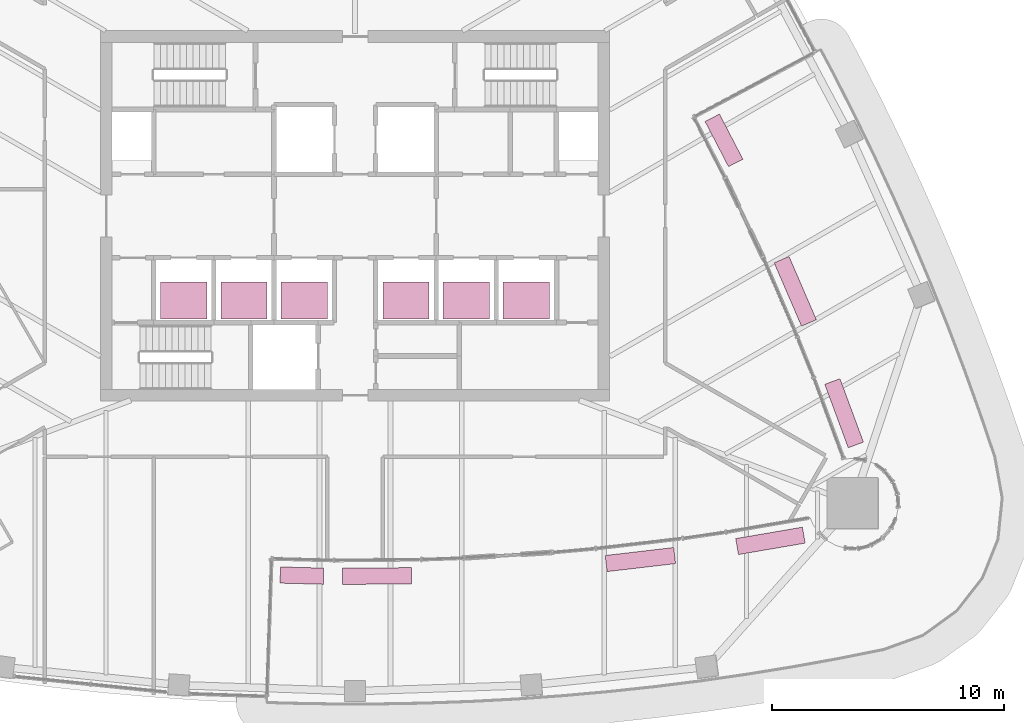
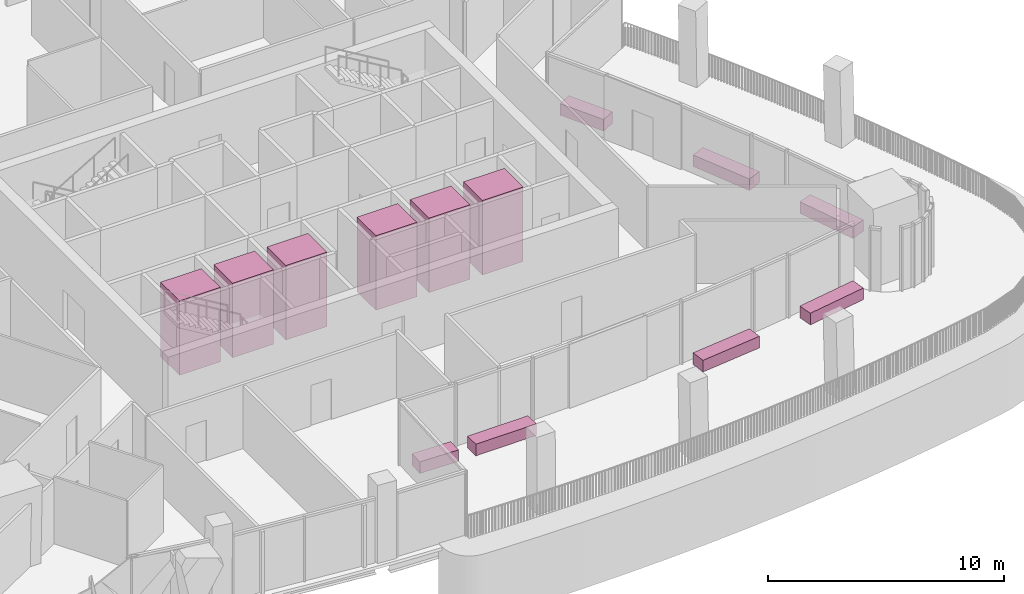
# One storey, part 21 of 21: 7 furniture elements, 6 transport elements.
"""IFC4 building model written with IfcOpenShell, lengths in metres."""

from ifc_helpers import new_model, si_unit, direction, frame, origin, origin_2d, place, context, subcontext, project, spatial, rectangle, extrude, material, type_object, element, save


model = new_model("IFC4")

# Units and contexts
model_context = context("Model", 3, precision=1e-05, world=origin(), true_north=direction((0.0, 1.0)))
body_context = subcontext(model_context, "Body", "Model", "MODEL_VIEW")
ifc_project = project(units=[si_unit("LENGTHUNIT", "METRE"), si_unit("AREAUNIT", "SQUARE_METRE"), si_unit("VOLUMEUNIT", "CUBIC_METRE"), si_unit("PLANEANGLEUNIT", "RADIAN"), si_unit("MASSUNIT", "GRAM", prefix="KILO")], contexts=[model_context])

# Site, building, storey
site_placement = place(None, origin())
site = spatial("IfcSite", under=ifc_project, at=site_placement, CompositionType="ELEMENT")
building_placement = place(site_placement, origin())
building = spatial("IfcBuilding", under=site, at=building_placement, Name="Sierra Prisma Convention Tower", CompositionType="ELEMENT")
storey_placement = place(building_placement, frame((0.0, 0.0, 259.0)))
storey = spatial("IfcBuildingStorey", under=building, at=storey_placement, Name="L58", CompositionType="ELEMENT", Elevation=259.0)

# Transport elements
ifc_material_1 = material(Name="Stainless steel", Category="steel")
transport_element_type = type_object("IfcTransportElementType", Name="Lift car office high 2000x1600 1600 kg", PredefinedType="ELEVATOR", material=ifc_material_1)
for number, where, z_axis, x_axis, name in (
    (1, (-7.39990234375, -3.64990234375, 0.0), (0.0, 0.0, 1.0), (1.0, 0.0, 0.0), "Lift OH1"),
    (2, (-4.800048828125, -3.64990234375, 0.0), (0.0, 0.0, 1.0), (1.0, 0.0, 0.0), "Lift OH2"),
    (3, (-2.199951171875, -3.64990234375, 0.0), (0.0, 0.0, 1.0), (1.0, 0.0, 0.0), "Lift OH3"),
    (4, (2.199951171875, -3.64990234375, 0.0), (0.0, 0.0, 1.0), (1.0, 0.0, 0.0), "Lift OH4"),
    (5, (4.800048828125, -3.64990234375, 0.0), (0.0, 0.0, 1.0), (1.0, 0.0, 0.0), "Lift OH5"),
    (6, (7.39990234375, -3.64990234375, 0.0), (0.0, 0.0, 1.0), (1.0, 0.0, 0.0), "Lift OH6"),
):
    element("IfcTransportElement", number, at=place(storey_placement, frame(where, z_axis=z_axis, x_axis=x_axis)), inside=storey, type_object=transport_element_type, Name=name, PredefinedType="ELEVATOR", context=body_context, shape_type="SweptSolid", body=[
        extrude(rectangle(XDim=2.0, YDim=1.60009765625, at=origin_2d()), origin(), (0.0, 0.0, 1.0), 3.85009765625),
    ])

# Furniture
ifc_material_2 = material(Name="Precast concrete C40/50", Category="concrete")
furniture_type = type_object("IfcFurnitureType", Name="Terrace planter", AssemblyPlace="NOTDEFINED", PredefinedType="USERDEFINED", material=ifc_material_2)
furniture_1_placement = place(storey_placement, frame((-2.29638671875, -15.532470703125, 0.0400390625), z_axis=(0.0, 0.0, 1.0), x_axis=(0.99964106481, -0.026790698865, 0.0)))
element("IfcFurniture", 7, at=furniture_1_placement, inside=storey, type_object=furniture_type, Name="Planter L58.1", ObjectType="PLANTER", PredefinedType="USERDEFINED", context=body_context, shape_type="SweptSolid", body=[
    extrude(rectangle(XDim=1.868408203125, YDim=0.699951171875, at=origin_2d()), origin(), (0.0, 0.0, 1.0), 0.60009765625),
])
for number, where, z_axis, x_axis, name in (
    (8, (0.9501953125, -15.551513671875, 0.0400390625), (0.0, 0.0, 1.0), (0.999960116191, 0.008931182823, 0.0), "Planter L58.2"),
    (9, (12.32373046875, -14.839599609375, 0.0400390625), (0.0, 0.0, 1.0), (0.993267160301, 0.11584622682, 0.0), "Planter L58.6"),
):
    element("IfcFurniture", number, at=place(storey_placement, frame(where, z_axis=z_axis, x_axis=x_axis)), inside=storey, type_object=furniture_type, Name=name, ObjectType="PLANTER", PredefinedType="USERDEFINED", context=body_context, shape_type="SweptSolid", body=[
        extrude(rectangle(XDim=2.975830078125, YDim=0.699951171875, at=origin_2d()), origin(), (0.0, 0.0, 1.0), 0.60009765625),
    ])
furniture_2_placement = place(storey_placement, frame((17.93896484375, -14.032470703125, 0.0400390625), z_axis=(0.0, 0.0, 1.0), x_axis=(0.98565823358, 0.168753804629, 0.0)))
element("IfcFurniture", 10, at=furniture_2_placement, inside=storey, type_object=furniture_type, Name="Planter L58.8", ObjectType="PLANTER", PredefinedType="USERDEFINED", context=body_context, shape_type="SweptSolid", body=[
    extrude(rectangle(XDim=2.921875, YDim=0.699951171875, at=origin_2d()), origin(), (0.0, 0.0, 1.0), 0.60009765625),
])
furniture_3_placement = place(storey_placement, frame((21.121826171875, -8.51904296875, 0.0400390625), z_axis=(0.0, 0.0, 1.0), x_axis=(-0.346685766215, 0.937981332172, 0.0)))
element("IfcFurniture", 11, at=furniture_3_placement, inside=storey, type_object=furniture_type, Name="Planter L58.27", ObjectType="PLANTER", PredefinedType="USERDEFINED", context=body_context, shape_type="SweptSolid", body=[
    extrude(rectangle(XDim=2.921142578125, YDim=0.699951171875, at=origin_2d()), origin(), (0.0, 0.0, 1.0), 0.60009765625),
])
furniture_4_placement = place(storey_placement, frame((19.01318359375, -3.2529296875, 0.0400390625), z_axis=(0.0, 0.0, 1.0), x_axis=(-0.396307804792, 0.918117706975, 0.0)))
element("IfcFurniture", 12, at=furniture_4_placement, inside=storey, type_object=furniture_type, Name="Planter L58.29", ObjectType="PLANTER", PredefinedType="USERDEFINED", context=body_context, shape_type="SweptSolid", body=[
    extrude(rectangle(XDim=2.975830078125, YDim=0.699951171875, at=origin_2d()), origin(), (0.0, 0.0, 1.0), 0.60009765625),
])
furniture_5_placement = place(storey_placement, frame((15.93408203125, 3.265625, 0.0400390625), z_axis=(0.0, 0.0, 1.0), x_axis=(-0.46084071427, 0.887482865227, 0.0)))
element("IfcFurniture", 13, at=furniture_5_placement, inside=storey, type_object=furniture_type, Name="Planter L58.31", ObjectType="PLANTER", PredefinedType="USERDEFINED", context=body_context, shape_type="SweptSolid", body=[
    extrude(rectangle(XDim=2.195068359375, YDim=0.699951171875, at=origin_2d()), origin(), (0.0, 0.0, 1.0), 0.60009765625),
])

save(model, "model.ifc")
